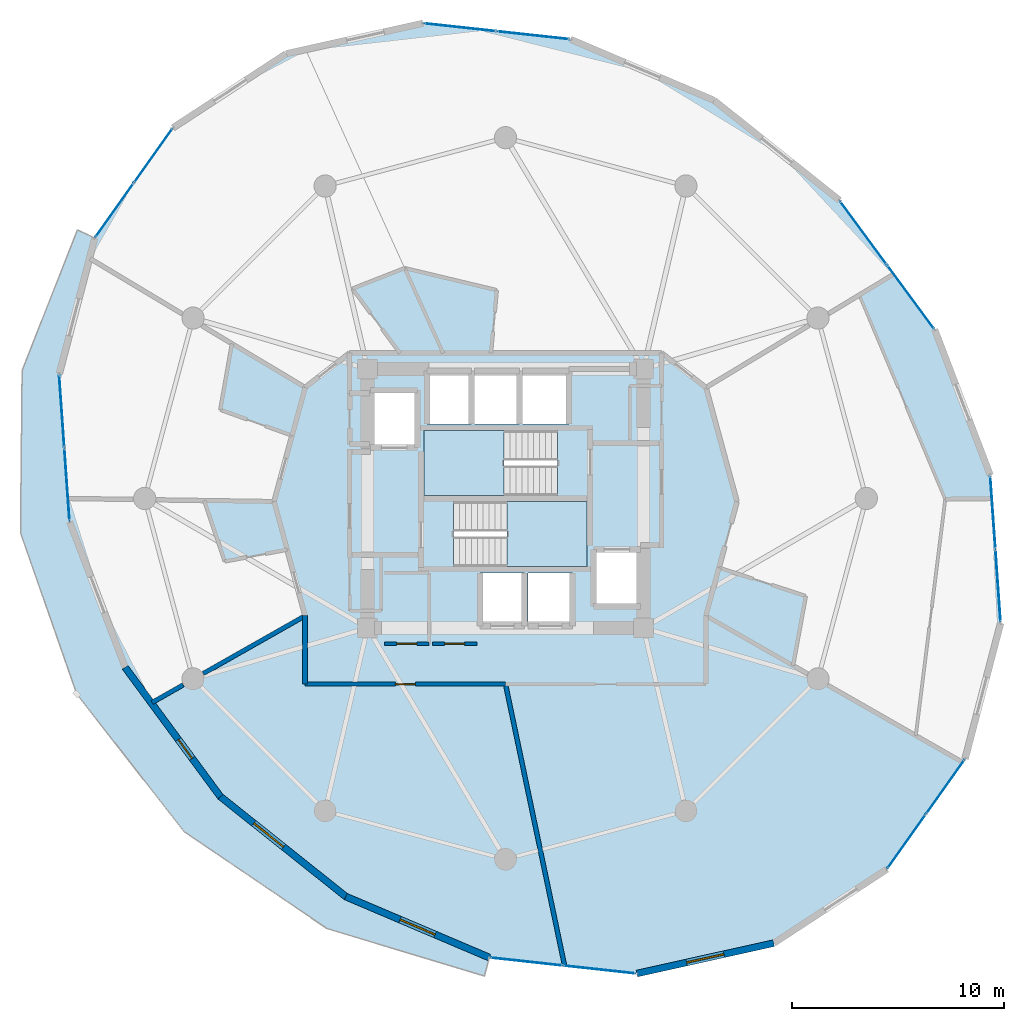
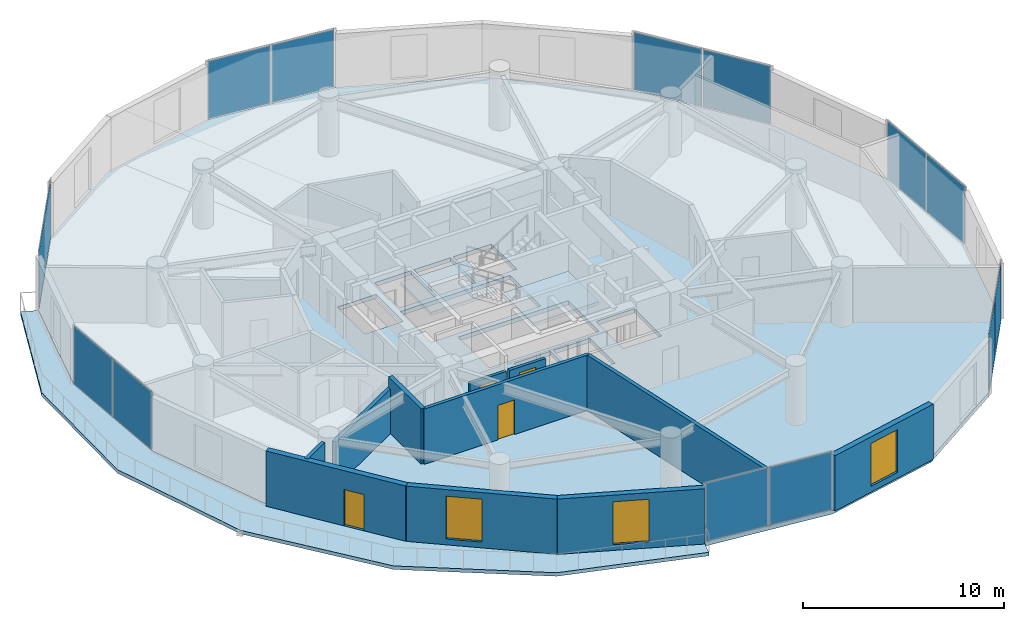
# One storey, part 17 of 22: 14 plates, 11 walls, 4 doors, 4 slabs, 3 windows, 7 openings, 9 elements without a shape of their own.
"""IFC4 building model written with IfcOpenShell, lengths in metres."""

from ifc_helpers import new_model, si_unit, direction, frame, frame_2d, origin, origin_2d, place, context, subcontext, project, spatial, polyline, rectangle, outline, extrude, source, transform, mapped, material, layer, layer_set, type_object, element, fill, aggregate, save


model = new_model("IFC4")

# Units and contexts
model_context = context("Model", 3, precision=1e-05, world=origin(), true_north=direction((0.0, 1.0)))
body_context = subcontext(model_context, "Body", "Model", "MODEL_VIEW")
ifc_project = project(units=[si_unit("LENGTHUNIT", "METRE"), si_unit("AREAUNIT", "SQUARE_METRE"), si_unit("VOLUMEUNIT", "CUBIC_METRE"), si_unit("PLANEANGLEUNIT", "RADIAN"), si_unit("MASSUNIT", "GRAM", prefix="KILO")], contexts=[model_context])

# Site, building, storey
site_placement = place(None, origin())
site = spatial("IfcSite", under=ifc_project, at=site_placement, CompositionType="ELEMENT")
building_placement = place(site_placement, origin())
building = spatial("IfcBuilding", under=site, at=building_placement, Name="Solvirekh Grand Hotel", CompositionType="ELEMENT")
storey_placement = place(building_placement, frame((0.0, 0.0, 149.39990234375)))
storey = spatial("IfcBuildingStorey", under=building, at=storey_placement, Name="L38", CompositionType="ELEMENT", Elevation=149.39990234375)

# Slab
ifc_material_1 = material(Name="Concrete C50/60", Category="concrete")
ifc_layer_1 = layer(ifc_material_1, 0.215087890625)
ifc_layer_set_1 = layer_set([ifc_layer_1], Name="Concrete C50/60")
slab_type_1 = type_object("IfcSlabType", Name="ExtCrescentBalc_215", PredefinedType="FLOOR", material=ifc_layer_set_1)
slab_1_placement = place(storey_placement, frame((0.0, 0.0, -0.21484375)))
element("IfcSlab", 1, at=slab_1_placement, inside=storey, type_object=slab_type_1, Name="L38 sweeping crescent balcony slab", PredefinedType="FLOOR", context=body_context, shape_type="SweptSolid", body=[
    extrude(outline(polyline([(-20.172119140625, 12.64990234375), (-22.77490234375, 6.029052734375), (-22.85205078125, -1.616943359375), (-20.199951171875, -9.2109375), (-15.14501953125, -15.69189453125), (-8.423095703125, -20.258056640625), (-0.993896484375, -22.5009765625), (-0.762939453125, -21.631103515625), (-7.52392578125, -18.757080078125), (-13.43603515625, -14.0458984375), (-17.919921875, -7.9609375), (-20.5380859375, -1.096923828125), (-21.031982421875, 5.875), (-19.35498046875, 12.27197265625), (-20.172119140625, 12.64990234375)])), origin(), (0.0, 0.0, 1.0), 0.21484375),
])

# Stair, slab
ifc_material_2 = material(Name="Concrete C40/50", Category="concrete")
stair_type = type_object("IfcStairType", Name="Stair_Core_1450", PredefinedType="HALF_TURN_STAIR", material=ifc_material_2)
stair_1_placement = place(storey_placement, origin())
stair_1 = element("IfcStair", 2, at=stair_1_placement, inside=storey, type_object=stair_type, Name="L38 Enclosed exit stair ST-1", PredefinedType="HALF_TURN_STAIR")
ifc_layer_2 = layer(ifc_material_2, 0.199951171875)
ifc_layer_set_2 = layer_set([ifc_layer_2], Name="Concrete C40/50")
slab_type_2 = type_object("IfcSlabType", Name="Landing_Stair_200", PredefinedType="LANDING", material=ifc_layer_set_2)
slab_2_placement = place(storey_placement, frame((0.0, 0.0, 1.60009765625)))
slab_2 = element("IfcSlab", 3, at=slab_2_placement, type_object=slab_type_2, Name="ST-1 landing 1", PredefinedType="LANDING", context=body_context, shape_type="SweptSolid", body=[
    extrude(outline(polyline([(0.070068359375, -3.199951171875), (3.85009765625, -3.199951171875), (3.85009765625, -0.14990234375), (0.070068359375, -0.14990234375), (0.070068359375, -3.199951171875)])), origin(), (0.0, 0.0, 1.0), 0.199951171875),
])
aggregate(stair_1, [slab_2])

stair_2_placement = place(storey_placement, origin())
stair_2 = element("IfcStair", 4, at=stair_2_placement, inside=storey, type_object=stair_type, Name="L38 Enclosed exit stair ST-2", PredefinedType="HALF_TURN_STAIR")
slab_3_placement = place(storey_placement, frame((0.0, 0.0, 1.60009765625)))
slab_3 = element("IfcSlab", 5, at=slab_3_placement, type_object=slab_type_2, Name="ST-2 landing 1", PredefinedType="LANDING", context=body_context, shape_type="SweptSolid", body=[
    extrude(outline(polyline([(-0.070068359375, 3.199951171875), (-3.85009765625, 3.199951171875), (-3.85009765625, 0.14990234375), (-0.070068359375, 0.14990234375), (-0.070068359375, 3.199951171875)])), origin(), (0.0, 0.0, 1.0), 0.199951171875),
])
aggregate(stair_2, [slab_3])

# Slab
ifc_layer_3 = layer(ifc_material_1, 0.25)
ifc_layer_set_3 = layer_set([ifc_layer_3], Name="Concrete C50/60")
slab_type_3 = type_object("IfcSlabType", Name="Slab_GuestZ2_250", PredefinedType="FLOOR", material=ifc_layer_set_3)
slab_4_placement = place(storey_placement, frame((0.0, 0.0, -0.25)))
element("IfcSlab", 6, at=slab_4_placement, inside=storey, type_object=slab_type_3, Name="L38 structural floor slab", PredefinedType="FLOOR", context=body_context, shape_type="SweptSolid", body=[
    extrude(outline(polyline([(17.970947265625, -17.467041015625), (21.655029296875, -12.27197265625), (23.33203125, -5.875), (22.837890625, 1.096923828125), (20.219970703125, 7.9609375), (15.736083984375, 14.0458984375), (9.823974609375, 18.757080078125), (3.06298828125, 21.631103515625), (-3.885009765625, 22.387939453125), (-10.340087890625, 20.952880859375), (-15.6708984375, 17.467041015625), (-19.35498046875, 12.27197265625), (-21.031982421875, 5.875), (-20.5380859375, -1.096923828125), (-17.919921875, -7.9609375), (-13.43603515625, -14.0458984375), (-7.52392578125, -18.757080078125), (-0.762939453125, -21.631103515625), (6.18505859375, -22.387939453125), (12.639892578125, -20.952880859375), (17.970947265625, -17.467041015625)]), holes=[polyline([(-2.444091796875, -0.14990234375), (3.85009765625, -0.14990234375), (3.85009765625, -3.199951171875), (-2.444091796875, -3.199951171875), (-2.444091796875, -0.14990234375)]), polyline([(2.444091796875, 0.14990234375), (-3.85009765625, 0.14990234375), (-3.85009765625, 3.199951171875), (2.444091796875, 3.199951171875), (2.444091796875, 0.14990234375)]), polyline([(-1.199951171875, -3.5), (0.89990234375, -3.5), (0.89990234375, -6.0), (-1.199951171875, -6.0), (-1.199951171875, -3.5)]), polyline([(1.050048828125, -3.5), (3.14990234375, -3.5), (3.14990234375, -6.0), (1.050048828125, -6.0), (1.050048828125, -3.5)]), polyline([(-3.699951171875, 6.0), (-1.60009765625, 6.0), (-1.60009765625, 3.5), (-3.699951171875, 3.5), (-3.699951171875, 6.0)]), polyline([(-1.449951171875, 6.0), (0.64990234375, 6.0), (0.64990234375, 3.5), (-1.449951171875, 3.5), (-1.449951171875, 6.0)]), polyline([(0.800048828125, 6.0), (3.0, 6.0), (3.0, 3.5), (0.800048828125, 3.5), (0.800048828125, 6.0)]), polyline([(-6.35009765625, 5.10009765625), (-4.14990234375, 5.10009765625), (-4.14990234375, 2.39990234375), (-6.35009765625, 2.39990234375), (-6.35009765625, 5.10009765625)]), polyline([(4.14990234375, -2.39990234375), (6.35009765625, -2.39990234375), (6.35009765625, -5.10009765625), (4.14990234375, -5.10009765625), (4.14990234375, -2.39990234375)])]), origin(), (0.0, 0.0, 1.0), 0.25),
])

# Curtain wall, plates
ifc_material_3 = material(Name="Anodized Bronze Aluminium 6063-T6", Category="aluminium")
ifc_layer_4 = layer(ifc_material_3, 0.175048828125)
ifc_layer_set_4 = layer_set([ifc_layer_4], Name="Anodized Bronze Aluminium 6063-T6")
curtain_wall_type = type_object("IfcCurtainWallType", Name="CW_Sys3_MidZoneFlushBronzeCW", PredefinedType="NOTDEFINED", material=ifc_layer_set_4)
curtain_wall_1_placement = place(storey_placement, origin())
curtain_wall_1 = element("IfcCurtainWall", 7, at=curtain_wall_1_placement, inside=storey, type_object=curtain_wall_type, Name="L38 unitised bronze-glass curtain wall CW-L38-C03", PredefinedType="NOTDEFINED")
ifc_material_4 = material(Name="Low-E Tinted Bronze Laminated Glass", Category="aluminium")
ifc_layer_5 = layer(ifc_material_4, 0.035888671875)
ifc_layer_set_5 = layer_set([ifc_layer_5], Name="Low-E Tinted Bronze Laminated Glass")
plate_type = type_object("IfcPlateType", Name="CWPanel_Mid_36", PredefinedType="CURTAIN_PANEL", material=ifc_layer_set_5)
shared_shape_1 = source(origin(), body_context, "Body", "SweptSolid", [
    extrude(rectangle(XDim=3.397216796875, YDim=0.035888671875, at=origin_2d()), origin(), (0.0, 0.0, 1.0), 3.489990234375),
])
plate_1_placement = place(storey_placement, frame((23.207275390625, -4.11572265625, 0.05517578125), z_axis=(0.0, 0.0, 1.0), x_axis=(-0.070677654689, 0.997499207582, 0.0)))
plate_1 = element("IfcPlate", 8, at=plate_1_placement, type_object=plate_type, Name="U03 panel 1.1", PredefinedType="CURTAIN_PANEL", context=body_context, shape_type="MappedRepresentation", body=[
    mapped(shared_shape_1, transform((0.0, 0.0, 0.0), x_axis=(1.0, 0.0, 0.0), y_axis=(0.0, 1.0, 0.0), z_axis=(0.0, 0.0, 1.0), scale=1.0)),
])
plate_2_placement = place(storey_placement, frame((22.962646484375, -0.662109375, 0.05517578125), z_axis=(0.0, 0.0, 1.0), x_axis=(-0.070677654689, 0.997499207582, 0.0)))
plate_2 = element("IfcPlate", 9, at=plate_2_placement, type_object=plate_type, Name="U03 panel 2.1", PredefinedType="CURTAIN_PANEL", context=body_context, shape_type="MappedRepresentation", body=[
    mapped(shared_shape_1, transform((0.0, 0.0, 0.0), x_axis=(1.0, 0.0, 0.0), y_axis=(0.0, 1.0, 0.0), z_axis=(0.0, 0.0, 1.0), scale=1.0)),
])
aggregate(curtain_wall_1, [plate_1, plate_2])

curtain_wall_2_placement = place(storey_placement, origin())
curtain_wall_2 = element("IfcCurtainWall", 10, at=curtain_wall_2_placement, inside=storey, type_object=curtain_wall_type, Name="L38 unitised bronze-glass curtain wall CW-L38-C13", PredefinedType="NOTDEFINED")
plate_3_placement = place(storey_placement, frame((-20.907470703125, 4.11572265625, 0.05517578125), z_axis=(0.0, 0.0, 1.0), x_axis=(0.070677654689, -0.997499207582, 0.0)))
plate_3 = element("IfcPlate", 11, at=plate_3_placement, type_object=plate_type, Name="U03 panel 1.1", PredefinedType="CURTAIN_PANEL", context=body_context, shape_type="MappedRepresentation", body=[
    mapped(shared_shape_1, transform((0.0, 0.0, 0.0), x_axis=(1.0, 0.0, 0.0), y_axis=(0.0, 1.0, 0.0), z_axis=(0.0, 0.0, 1.0), scale=1.0)),
])
plate_4_placement = place(storey_placement, frame((-20.66259765625, 0.662109375, 0.05517578125), z_axis=(0.0, 0.0, 1.0), x_axis=(0.070677654689, -0.997499207582, 0.0)))
plate_4 = element("IfcPlate", 12, at=plate_4_placement, type_object=plate_type, Name="U03 panel 2.1", PredefinedType="CURTAIN_PANEL", context=body_context, shape_type="MappedRepresentation", body=[
    mapped(shared_shape_1, transform((0.0, 0.0, 0.0), x_axis=(1.0, 0.0, 0.0), y_axis=(0.0, 1.0, 0.0), z_axis=(0.0, 0.0, 1.0), scale=1.0)),
])
aggregate(curtain_wall_2, [plate_3, plate_4])

curtain_wall_3_placement = place(storey_placement, origin())
curtain_wall_3 = element("IfcCurtainWall", 13, at=curtain_wall_3_placement, inside=storey, type_object=curtain_wall_type, Name="L38 unitised bronze-glass curtain wall CW-L38-C05", PredefinedType="NOTDEFINED")
shared_shape_2 = source(origin(), body_context, "Body", "SweptSolid", [
    extrude(rectangle(XDim=3.681884765625, YDim=0.035888671875, at=origin_2d()), origin(), (0.0, 0.0, 1.0), 3.489990234375),
])
plate_5_placement = place(storey_placement, frame((19.08935546875, 9.495361328125, 0.05517578125), z_axis=(0.0, 0.0, 1.0), x_axis=(-0.593226114947, 0.805035885253, 0.0)))
plate_5 = element("IfcPlate", 14, at=plate_5_placement, type_object=plate_type, Name="U03 panel 1.1", PredefinedType="CURTAIN_PANEL", context=body_context, shape_type="MappedRepresentation", body=[
    mapped(shared_shape_2, transform((0.0, 0.0, 0.0), x_axis=(1.0, 0.0, 0.0), y_axis=(0.0, 1.0, 0.0), z_axis=(0.0, 0.0, 1.0), scale=1.0)),
])
plate_6_placement = place(storey_placement, frame((16.86669921875, 12.51171875, 0.05517578125), z_axis=(0.0, 0.0, 1.0), x_axis=(-0.593226114947, 0.805035885253, 0.0)))
plate_6 = element("IfcPlate", 15, at=plate_6_placement, type_object=plate_type, Name="U03 panel 2.1", PredefinedType="CURTAIN_PANEL", context=body_context, shape_type="MappedRepresentation", body=[
    mapped(shared_shape_2, transform((0.0, 0.0, 0.0), x_axis=(1.0, 0.0, 0.0), y_axis=(0.0, 1.0, 0.0), z_axis=(0.0, 0.0, 1.0), scale=1.0)),
])
aggregate(curtain_wall_3, [plate_5, plate_6])

curtain_wall_4_placement = place(storey_placement, origin())
curtain_wall_4 = element("IfcCurtainWall", 16, at=curtain_wall_4_placement, inside=storey, type_object=curtain_wall_type, Name="L38 unitised bronze-glass curtain wall CW-L38-C08", PredefinedType="NOTDEFINED")
shared_shape_3 = source(origin(), body_context, "Body", "SweptSolid", [
    extrude(rectangle(XDim=3.39697265625, YDim=0.035888671875, at=origin_2d()), origin(), (0.0, 0.0, 1.0), 3.489990234375),
])
plate_7_placement = place(storey_placement, frame((1.309814453125, 21.822021484375, 0.05517578125), z_axis=(0.0, 0.0, 1.0), x_axis=(-0.994117031468, 0.10831125401, 0.0)))
plate_7 = element("IfcPlate", 17, at=plate_7_placement, type_object=plate_type, Name="U03 panel 1.1", PredefinedType="CURTAIN_PANEL", context=body_context, shape_type="MappedRepresentation", body=[
    mapped(shared_shape_3, transform((0.0, 0.0, 0.0), x_axis=(1.0, 0.0, 0.0), y_axis=(0.0, 1.0, 0.0), z_axis=(0.0, 0.0, 1.0), scale=1.0)),
])
plate_8_placement = place(storey_placement, frame((-2.1318359375, 22.197021484375, 0.05517578125), z_axis=(0.0, 0.0, 1.0), x_axis=(-0.994117031468, 0.10831125401, 0.0)))
plate_8 = element("IfcPlate", 18, at=plate_8_placement, type_object=plate_type, Name="U03 panel 2.1", PredefinedType="CURTAIN_PANEL", context=body_context, shape_type="MappedRepresentation", body=[
    mapped(shared_shape_3, transform((0.0, 0.0, 0.0), x_axis=(1.0, 0.0, 0.0), y_axis=(0.0, 1.0, 0.0), z_axis=(0.0, 0.0, 1.0), scale=1.0)),
])
aggregate(curtain_wall_4, [plate_7, plate_8])

curtain_wall_5_placement = place(storey_placement, origin())
curtain_wall_5 = element("IfcCurtainWall", 19, at=curtain_wall_5_placement, inside=storey, type_object=curtain_wall_type, Name="L38 unitised bronze-glass curtain wall CW-L38-C18", PredefinedType="NOTDEFINED")
plate_9_placement = place(storey_placement, frame((0.990234375, -21.822021484375, 0.05517578125), z_axis=(0.0, 0.0, 1.0), x_axis=(0.994117031468, -0.10831125401, 0.0)))
plate_9 = element("IfcPlate", 20, at=plate_9_placement, type_object=plate_type, Name="U03 panel 1.1", PredefinedType="CURTAIN_PANEL", context=body_context, shape_type="MappedRepresentation", body=[
    mapped(shared_shape_3, transform((0.0, 0.0, 0.0), x_axis=(1.0, 0.0, 0.0), y_axis=(0.0, 1.0, 0.0), z_axis=(0.0, 0.0, 1.0), scale=1.0)),
])
plate_10_placement = place(storey_placement, frame((4.431884765625, -22.197021484375, 0.05517578125), z_axis=(0.0, 0.0, 1.0), x_axis=(0.994117031468, -0.10831125401, 0.0)))
plate_10 = element("IfcPlate", 21, at=plate_10_placement, type_object=plate_type, Name="U03 panel 2.1", PredefinedType="CURTAIN_PANEL", context=body_context, shape_type="MappedRepresentation", body=[
    mapped(shared_shape_3, transform((0.0, 0.0, 0.0), x_axis=(1.0, 0.0, 0.0), y_axis=(0.0, 1.0, 0.0), z_axis=(0.0, 0.0, 1.0), scale=1.0)),
])
aggregate(curtain_wall_5, [plate_9, plate_10])

curtain_wall_6_placement = place(storey_placement, origin())
curtain_wall_6 = element("IfcCurtainWall", 22, at=curtain_wall_6_placement, inside=storey, type_object=curtain_wall_type, Name="L38 unitised bronze-glass curtain wall CW-L38-C01", PredefinedType="NOTDEFINED")
shared_shape_4 = source(origin(), body_context, "Body", "SweptSolid", [
    extrude(rectangle(XDim=3.0869140625, YDim=0.035888671875, at=origin_2d()), origin(), (0.0, 0.0, 1.0), 3.489990234375),
])
plate_11_placement = place(storey_placement, frame((18.9013671875, -16.155029296875, 0.05517578125), z_axis=(0.0, 0.0, 1.0), x_axis=(0.578457272453, 0.815712684679, 0.0)))
plate_11 = element("IfcPlate", 23, at=plate_11_placement, type_object=plate_type, Name="U03 panel 1.1", PredefinedType="CURTAIN_PANEL", context=body_context, shape_type="MappedRepresentation", body=[
    mapped(shared_shape_4, transform((0.0, 0.0, 0.0), x_axis=(1.0, 0.0, 0.0), y_axis=(0.0, 1.0, 0.0), z_axis=(0.0, 0.0, 1.0), scale=1.0)),
])
plate_12_placement = place(storey_placement, frame((20.724609375, -13.583984375, 0.05517578125), z_axis=(0.0, 0.0, 1.0), x_axis=(0.578457272453, 0.815712684679, 0.0)))
plate_12 = element("IfcPlate", 24, at=plate_12_placement, type_object=plate_type, Name="U03 panel 2.1", PredefinedType="CURTAIN_PANEL", context=body_context, shape_type="MappedRepresentation", body=[
    mapped(shared_shape_4, transform((0.0, 0.0, 0.0), x_axis=(1.0, 0.0, 0.0), y_axis=(0.0, 1.0, 0.0), z_axis=(0.0, 0.0, 1.0), scale=1.0)),
])
aggregate(curtain_wall_6, [plate_11, plate_12])

curtain_wall_7_placement = place(storey_placement, origin())
curtain_wall_7 = element("IfcCurtainWall", 25, at=curtain_wall_7_placement, inside=storey, type_object=curtain_wall_type, Name="L38 unitised bronze-glass curtain wall CW-L38-C11", PredefinedType="NOTDEFINED")
plate_13_placement = place(storey_placement, frame((-16.601318359375, 16.155029296875, 0.05517578125), z_axis=(0.0, 0.0, 1.0), x_axis=(-0.578457272453, -0.815712684679, 0.0)))
plate_13 = element("IfcPlate", 26, at=plate_13_placement, type_object=plate_type, Name="U03 panel 1.1", PredefinedType="CURTAIN_PANEL", context=body_context, shape_type="MappedRepresentation", body=[
    mapped(shared_shape_4, transform((0.0, 0.0, 0.0), x_axis=(1.0, 0.0, 0.0), y_axis=(0.0, 1.0, 0.0), z_axis=(0.0, 0.0, 1.0), scale=1.0)),
])
plate_14_placement = place(storey_placement, frame((-18.424560546875, 13.583984375, 0.05517578125), z_axis=(0.0, 0.0, 1.0), x_axis=(-0.578457272453, -0.815712684679, 0.0)))
plate_14 = element("IfcPlate", 27, at=plate_14_placement, type_object=plate_type, Name="U03 panel 2.1", PredefinedType="CURTAIN_PANEL", context=body_context, shape_type="MappedRepresentation", body=[
    mapped(shared_shape_4, transform((0.0, 0.0, 0.0), x_axis=(1.0, 0.0, 0.0), y_axis=(0.0, 1.0, 0.0), z_axis=(0.0, 0.0, 1.0), scale=1.0)),
])
aggregate(curtain_wall_7, [plate_13, plate_14])

# Wall, opening, door
ifc_material_5 = material(Name="Precast concrete C45/55", Category="concrete")
ifc_layer_6 = layer(ifc_material_5, 0.320068359375)
ifc_layer_set_6 = layer_set([ifc_layer_6], Name="Precast concrete C45/55")
wall_type_1 = type_object("IfcWallType", Name="ExtLobbyWall_RC320", PredefinedType="SOLIDWALL", material=ifc_layer_set_6)
wall_1_placement = place(storey_placement, frame((-13.43603515625, -14.0458984375, 0.0), z_axis=(0.0, 0.0, 1.0), x_axis=(-0.593218870088, 0.805041223896, 0.0)))
wall_1 = element("IfcWall", 28, at=wall_1_placement, inside=storey, type_object=wall_type_1, Name="L38 exterior structural wall chord 15", PredefinedType="SOLIDWALL", context=body_context, shape_type="SweptSolid", body=[
    extrude(rectangle(XDim=7.55859375, YDim=0.320068359375, at=frame_2d((3.779296875, 0.0))), origin(), (0.0, 0.0, 1.0), 3.35009765625),
])
opening_1_placement = place(wall_1_placement, frame((2.238037109375, 0.0, 0.0)))
opening_1 = element("IfcOpeningElement", 29, at=opening_1_placement, cuts=wall_1, Name="Opening D03", PredefinedType="OPENING", context=body_context, shape_type="SweptSolid", body=[
    extrude(rectangle(XDim=1.10009765625, YDim=2.199951171875, at=frame_2d((0.550048828125, 1.10009765625))), frame((0.0, 0.169921875, 0.0), z_axis=(0.0, -1.0, 0.0), x_axis=(1.0, 0.0, 0.0)), (0.0, 0.0, 1.0), 0.340087890625),
])
door_type_1 = type_object("IfcDoorType", Name="Door_ExtBalcony_1100X2200", OperationType="NOTDEFINED", PredefinedType="DOOR", material=ifc_material_3)
door_1_placement = place(opening_1_placement, origin())
door_1 = element("IfcDoor", 30, at=door_1_placement, inside=storey, type_object=door_type_1, Name="L38 Crescent balcony glazed door (15)", OperationType="SINGLE_SWING_LEFT", OverallHeight=2.199951171875, OverallWidth=1.10009765625, PredefinedType="DOOR", context=body_context, shape_type="SweptSolid", body=[
    extrude(rectangle(XDim=1.10009765625, YDim=2.199951171875, at=frame_2d((0.550048828125, 1.10009765625))), frame((0.0, 0.02490234375, 0.0), z_axis=(0.0, -1.0, 0.0), x_axis=(1.0, 0.0, 0.0)), (0.0, 0.0, 1.0), 0.050048828125),
])
fill(opening_1, door_1)

# Wall, opening, window
wall_2_placement = place(storey_placement, frame((-7.52392578125, -18.757080078125, 0.0), z_axis=(0.0, 0.0, 1.0), x_axis=(-0.782061518956, 0.623201236013, 0.0)))
wall_2 = element("IfcWall", 31, at=wall_2_placement, inside=storey, type_object=wall_type_1, Name="L38 exterior structural wall chord 16", PredefinedType="SOLIDWALL", context=body_context, shape_type="SweptSolid", body=[
    extrude(rectangle(XDim=7.5595703125, YDim=0.320068359375, at=frame_2d((3.77978515625, 0.0))), origin(), (0.0, 0.0, 1.0), 3.35009765625),
])
opening_2_placement = place(wall_2_placement, frame((3.7529296875, 0.0, 0.35009765625)))
opening_2 = element("IfcOpeningElement", 32, at=opening_2_placement, cuts=wall_2, Name="Opening W02", PredefinedType="OPENING", context=body_context, shape_type="SweptSolid", body=[
    extrude(rectangle(XDim=1.800048828125, YDim=2.60009765625, at=frame_2d((0.89990234375, 1.300048828125))), frame((0.0, 0.169921875, 0.0), z_axis=(0.0, -1.0, 0.0), x_axis=(1.0, 0.0, 0.0)), (0.0, 0.0, 1.0), 0.340087890625),
])
window_type = type_object("IfcWindowType", Name="Win_LobbyExt_1800X2600", PartitioningType="SINGLE_PANEL", PredefinedType="WINDOW", material=ifc_material_4)
window_1_placement = place(opening_2_placement, origin())
window_1 = element("IfcWindow", 33, at=window_1_placement, inside=storey, type_object=window_type, Name="L38 panoramic bronze-framed window 16", OverallHeight=2.60009765625, OverallWidth=1.800048828125, PartitioningType="SINGLE_PANEL", PredefinedType="WINDOW", context=body_context, shape_type="SweptSolid", body=[
    extrude(rectangle(XDim=1.800048828125, YDim=2.60009765625, at=frame_2d((0.89990234375, 1.300048828125))), frame((0.0, 0.030029296875, 0.0), z_axis=(0.0, -1.0, 0.0), x_axis=(1.0, 0.0, 0.0)), (0.0, 0.0, 1.0), 0.06005859375),
])
fill(opening_2, window_1)

wall_3_placement = place(storey_placement, frame((-0.762939453125, -21.631103515625, 0.0), z_axis=(0.0, 0.0, 1.0), x_axis=(-0.920301307609, 0.391210305607, 0.0)))
wall_3 = element("IfcWall", 34, at=wall_3_placement, inside=storey, type_object=wall_type_1, Name="L38 exterior structural wall chord 17", PredefinedType="SOLIDWALL", context=body_context, shape_type="SweptSolid", body=[
    extrude(rectangle(XDim=7.346435546875, YDim=0.320068359375, at=frame_2d((3.67333984375, 0.0))), origin(), (0.0, 0.0, 1.0), 3.35009765625),
])
opening_3_placement = place(wall_3_placement, frame((2.77294921875, 0.0, 0.35009765625)))
opening_3 = element("IfcOpeningElement", 35, at=opening_3_placement, cuts=wall_3, Name="Opening W02", PredefinedType="OPENING", context=body_context, shape_type="SweptSolid", body=[
    extrude(rectangle(XDim=1.800048828125, YDim=2.60009765625, at=frame_2d((0.89990234375, 1.300048828125))), frame((0.0, 0.169921875, 0.0), z_axis=(0.0, -1.0, 0.0), x_axis=(1.0, 0.0, 0.0)), (0.0, 0.0, 1.0), 0.340087890625),
])
window_2_placement = place(opening_3_placement, origin())
window_2 = element("IfcWindow", 36, at=window_2_placement, inside=storey, type_object=window_type, Name="L38 panoramic bronze-framed window 17", OverallHeight=2.60009765625, OverallWidth=1.800048828125, PartitioningType="SINGLE_PANEL", PredefinedType="WINDOW", context=body_context, shape_type="SweptSolid", body=[
    extrude(rectangle(XDim=1.800048828125, YDim=2.60009765625, at=frame_2d((0.89990234375, 1.300048828125))), frame((0.0, 0.030029296875, 0.0), z_axis=(0.0, -1.0, 0.0), x_axis=(1.0, 0.0, 0.0)), (0.0, 0.0, 1.0), 0.06005859375),
])
fill(opening_3, window_2)

wall_4_placement = place(storey_placement, frame((12.639892578125, -20.952880859375, 0.0), z_axis=(0.0, 0.0, 1.0), x_axis=(-0.976166205915, -0.217024280736, 0.0)))
wall_4 = element("IfcWall", 37, at=wall_4_placement, inside=storey, type_object=wall_type_1, Name="L38 exterior structural wall chord 19", PredefinedType="SOLIDWALL", context=body_context, shape_type="SweptSolid", body=[
    extrude(rectangle(XDim=6.612548828125, YDim=0.320068359375, at=frame_2d((3.30615234375, 0.0))), origin(), (0.0, 0.0, 1.0), 3.35009765625),
])
opening_4_placement = place(wall_4_placement, frame((2.406005859375, 0.0, 0.35009765625)))
opening_4 = element("IfcOpeningElement", 38, at=opening_4_placement, cuts=wall_4, Name="Opening W02", PredefinedType="OPENING", context=body_context, shape_type="SweptSolid", body=[
    extrude(rectangle(XDim=1.800048828125, YDim=2.60009765625, at=frame_2d((0.89990234375, 1.300048828125))), frame((0.0, 0.169921875, 0.0), z_axis=(0.0, -1.0, 0.0), x_axis=(1.0, 0.0, 0.0)), (0.0, 0.0, 1.0), 0.340087890625),
])
window_3_placement = place(opening_4_placement, origin())
window_3 = element("IfcWindow", 39, at=window_3_placement, inside=storey, type_object=window_type, Name="L38 panoramic bronze-framed window 19", OverallHeight=2.60009765625, OverallWidth=1.800048828125, PartitioningType="SINGLE_PANEL", PredefinedType="WINDOW", context=body_context, shape_type="SweptSolid", body=[
    extrude(rectangle(XDim=1.800048828125, YDim=2.60009765625, at=frame_2d((0.89990234375, 1.300048828125))), frame((0.0, 0.030029296875, 0.0), z_axis=(0.0, -1.0, 0.0), x_axis=(1.0, 0.0, 0.0)), (0.0, 0.0, 1.0), 0.06005859375),
])
fill(opening_4, window_3)

# Wall, opening, door
ifc_material_6 = material(Name="Acoustic Gypsum Partition Assembly")
ifc_layer_7 = layer(ifc_material_6, 0.1650390625)
ifc_layer_set_7 = layer_set([ifc_layer_7], Name="Acoustic Gypsum Partition Assembly")
wall_type_2 = type_object("IfcWallType", Name="Part_BOH_165", PredefinedType="PARTITIONING", material=ifc_layer_set_7)
wall_5_placement = place(storey_placement, frame((-5.699951171875, -6.85009765625, 0.0), z_axis=(0.0, 0.0, 1.0), x_axis=(1.0, 0.0, 0.0)))
wall_5 = element("IfcWall", 40, at=wall_5_placement, inside=storey, type_object=wall_type_2, Name="L38 Mid-Zone Housekeeping Store wall 1", PredefinedType="PARTITIONING", context=body_context, shape_type="SweptSolid", body=[
    extrude(rectangle(XDim=2.099853515625, YDim=0.1650390625, at=frame_2d((1.0498046875, 0.0))), origin(), (0.0, 0.0, 1.0), 2.43505859375),
])
opening_5_placement = place(wall_5_placement, frame((0.574951171875, 0.0, 0.0)))
opening_5 = element("IfcOpeningElement", 41, at=opening_5_placement, cuts=wall_5, Name="Opening D10", PredefinedType="OPENING", context=body_context, shape_type="SweptSolid", body=[
    extrude(rectangle(XDim=0.949951171875, YDim=2.10009765625, at=frame_2d((0.47509765625, 1.050048828125))), frame((0.0, 0.092529296875, 0.0), z_axis=(0.0, -1.0, 0.0), x_axis=(1.0, 0.0, 0.0)), (0.0, 0.0, 1.0), 0.18505859375),
])
door_type_2 = type_object("IfcDoorType", Name="Door_RoomInt_950X2100", OperationType="NOTDEFINED", PredefinedType="DOOR", material=ifc_material_3)
door_2_placement = place(opening_5_placement, origin())
door_2 = element("IfcDoor", 42, at=door_2_placement, inside=storey, type_object=door_type_2, Name="L38 Mid-Zone Housekeeping Store door", OperationType="SINGLE_SWING_LEFT", OverallHeight=2.10009765625, OverallWidth=0.949951171875, PredefinedType="DOOR", context=body_context, shape_type="SweptSolid", body=[
    extrude(rectangle(XDim=0.949951171875, YDim=2.10009765625, at=frame_2d((0.47509765625, 1.050048828125))), frame((0.0, 0.02490234375, 0.0), z_axis=(0.0, -1.0, 0.0), x_axis=(1.0, 0.0, 0.0)), (0.0, 0.0, 1.0), 0.050048828125),
])
fill(opening_5, door_2)

wall_6_placement = place(storey_placement, frame((-3.449951171875, -6.85009765625, 0.0), z_axis=(0.0, 0.0, 1.0), x_axis=(1.0, 0.0, 0.0)))
wall_6 = element("IfcWall", 43, at=wall_6_placement, inside=storey, type_object=wall_type_2, Name="L38 Mid-Zone Linen Closet wall 1", PredefinedType="PARTITIONING", context=body_context, shape_type="SweptSolid", body=[
    extrude(rectangle(XDim=2.099853515625, YDim=0.1650390625, at=frame_2d((1.0498046875, 0.0))), origin(), (0.0, 0.0, 1.0), 2.43505859375),
])
opening_6_placement = place(wall_6_placement, frame((0.574951171875, 0.0, 0.0)))
opening_6 = element("IfcOpeningElement", 44, at=opening_6_placement, cuts=wall_6, Name="Opening D10", PredefinedType="OPENING", context=body_context, shape_type="SweptSolid", body=[
    extrude(rectangle(XDim=0.949951171875, YDim=2.10009765625, at=frame_2d((0.47509765625, 1.050048828125))), frame((0.0, 0.092529296875, 0.0), z_axis=(0.0, -1.0, 0.0), x_axis=(1.0, 0.0, 0.0)), (0.0, 0.0, 1.0), 0.18505859375),
])
door_3_placement = place(opening_6_placement, origin())
door_3 = element("IfcDoor", 45, at=door_3_placement, inside=storey, type_object=door_type_2, Name="L38 Mid-Zone Linen Closet door", OperationType="SINGLE_SWING_RIGHT", OverallHeight=2.10009765625, OverallWidth=0.949951171875, PredefinedType="DOOR", context=body_context, shape_type="SweptSolid", body=[
    extrude(rectangle(XDim=0.949951171875, YDim=2.10009765625, at=frame_2d((0.47509765625, 1.050048828125))), frame((0.0, 0.02490234375, 0.0), z_axis=(0.0, -1.0, 0.0), x_axis=(1.0, 0.0, 0.0)), (0.0, 0.0, 1.0), 0.050048828125),
])
fill(opening_6, door_3)

# Wall
ifc_layer_8 = layer(ifc_material_6, 0.239990234375)
ifc_layer_set_8 = layer_set([ifc_layer_8], Name="Acoustic Gypsum Partition Assembly")
wall_type_3 = type_object("IfcWallType", Name="Part_Corridor_240", PredefinedType="PARTITIONING", material=ifc_layer_set_8)
wall_7_placement = place(storey_placement, frame((-9.43994140625, -5.52490234375, 0.0), z_axis=(0.0, 0.0, 1.0), x_axis=(0.0, -1.0, 0.0)))
element("IfcWall", 46, at=wall_7_placement, inside=storey, type_object=wall_type_3, Name="L38 L38 Panorama Morning Lounge corridor wall 1", PredefinedType="PARTITIONING", context=body_context, shape_type="SweptSolid", body=[
    extrude(rectangle(XDim=3.22509765625, YDim=0.239990234375, at=frame_2d((1.612548828125, 0.0))), origin(), (0.0, 0.0, 1.0), 3.35009765625),
])

# Wall, opening, door
ifc_layer_9 = layer(ifc_material_6, 0.18994140625)
ifc_layer_set_9 = layer_set([ifc_layer_9], Name="Acoustic Gypsum Partition Assembly")
wall_type_4 = type_object("IfcWallType", Name="Part_GuestDemise_190", PredefinedType="PARTITIONING", material=ifc_layer_set_9)
wall_8_placement = place(storey_placement, frame((-9.43994140625, -8.75, 0.0), z_axis=(0.0, 0.0, 1.0), x_axis=(1.0, 0.0, 0.0)))
wall_8 = element("IfcWall", 47, at=wall_8_placement, inside=storey, type_object=wall_type_4, Name="L38 L38 Panorama Morning Lounge entrance wall", PredefinedType="PARTITIONING", context=body_context, shape_type="SweptSolid", body=[
    extrude(rectangle(XDim=9.43994140625, YDim=0.18994140625, at=frame_2d((4.719970703125, 0.0))), origin(), (0.0, 0.0, 1.0), 3.35009765625),
])
opening_7_placement = place(wall_8_placement, frame((4.2451171875, 0.0, 0.0)))
opening_7 = element("IfcOpeningElement", 48, at=opening_7_placement, cuts=wall_8, Name="Opening D10", PredefinedType="OPENING", context=body_context, shape_type="SweptSolid", body=[
    extrude(rectangle(XDim=0.949951171875, YDim=2.10009765625, at=frame_2d((0.47509765625, 1.050048828125))), frame((0.0, 0.10498046875, 0.0), z_axis=(0.0, -1.0, 0.0), x_axis=(1.0, 0.0, 0.0)), (0.0, 0.0, 1.0), 0.2099609375),
])
door_4_placement = place(opening_7_placement, origin())
door_4 = element("IfcDoor", 49, at=door_4_placement, inside=storey, type_object=door_type_2, Name="L38 L38 Panorama Morning Lounge entrance door", OperationType="SINGLE_SWING_LEFT", OverallHeight=2.10009765625, OverallWidth=0.949951171875, PredefinedType="DOOR", context=body_context, shape_type="SweptSolid", body=[
    extrude(rectangle(XDim=0.949951171875, YDim=2.10009765625, at=frame_2d((0.47509765625, 1.050048828125))), frame((0.0, 0.02490234375, 0.0), z_axis=(0.0, -1.0, 0.0), x_axis=(1.0, 0.0, 0.0)), (0.0, 0.0, 1.0), 0.050048828125),
])
fill(opening_7, door_4)

# Walls
ifc_layer_10 = layer(ifc_material_6, 0.2099609375)
ifc_layer_set_10 = layer_set([ifc_layer_10], Name="Acoustic Gypsum Partition Assembly")
wall_type_5 = type_object("IfcWallType", Name="Part_SuiteDemise_210", PredefinedType="PARTITIONING", material=ifc_layer_set_10)
wall_9_placement = place(storey_placement, frame((-9.43994140625, -5.52490234375, 0.0), z_axis=(0.0, 0.0, 1.0), x_axis=(-0.86993170577, -0.493172208561, 0.0)))
element("IfcWall", 50, at=wall_9_placement, inside=storey, type_object=wall_type_5, Name="L38 suite radial wall 8 (A)", PredefinedType="PARTITIONING", context=body_context, shape_type="SweptSolid", body=[
    extrude(rectangle(XDim=5.517822265625, YDim=0.2099609375, at=frame_2d((2.7587890625, 0.0))), origin(), (0.0, 0.0, 1.0), 2.717041015625),
])
wall_10_placement = place(storey_placement, frame((-15.18701171875, -8.783935546875, 0.0), z_axis=(0.0, 0.0, 1.0), x_axis=(-0.870057423981, -0.492950381859, 0.0)))
element("IfcWall", 51, at=wall_10_placement, inside=storey, type_object=wall_type_5, Name="L38 suite radial wall 8 (B)", PredefinedType="PARTITIONING", context=body_context, shape_type="SweptSolid", body=[
    extrude(rectangle(XDim=1.683837890625, YDim=0.2099609375, at=frame_2d((0.841796875, 0.0))), origin(), (0.0, 0.0, 1.0), 3.35009765625),
])
wall_11_placement = place(storey_placement, frame((0.0, -8.75, 0.0), z_axis=(0.0, 0.0, 1.0), x_axis=(0.205389549812, -0.978680301645, 0.0)))
element("IfcWall", 52, at=wall_11_placement, inside=storey, type_object=wall_type_5, Name="L38 L38 Panorama Morning Lounge dividing partition 1", PredefinedType="PARTITIONING", context=body_context, shape_type="SweptSolid", body=[
    extrude(rectangle(XDim=13.51513671875, YDim=0.2099609375, at=frame_2d((6.757568359375, 0.0))), origin(), (0.0, 0.0, 1.0), 3.35009765625),
])

save(model, "model.ifc")
